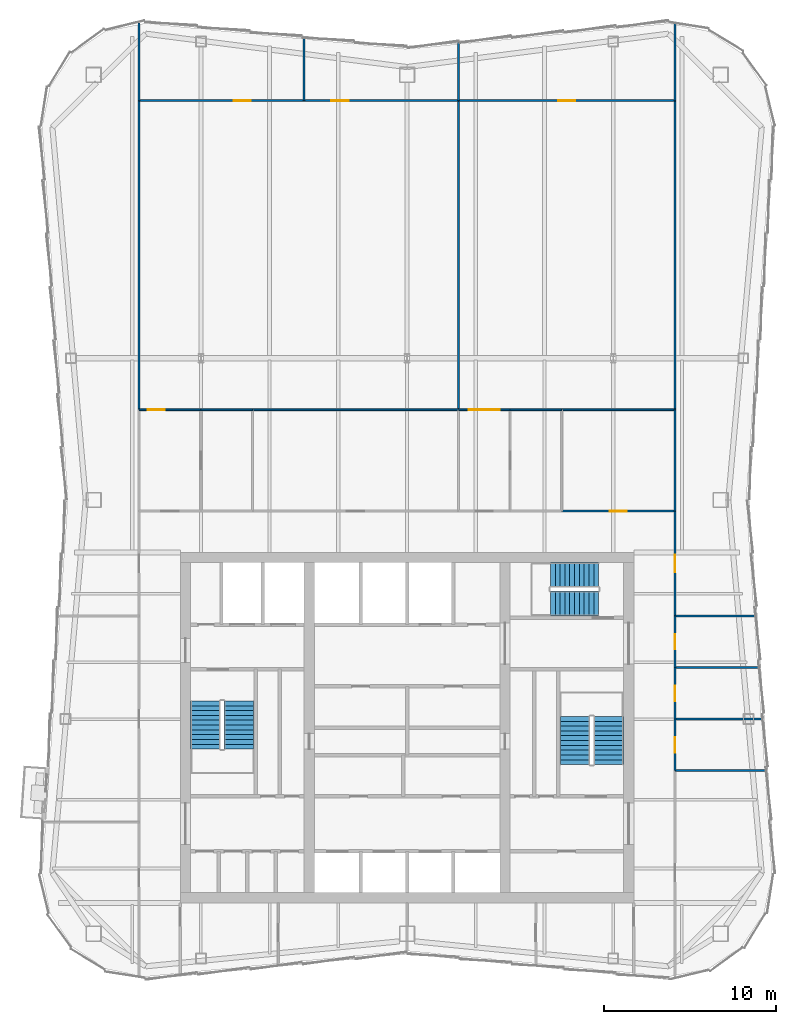
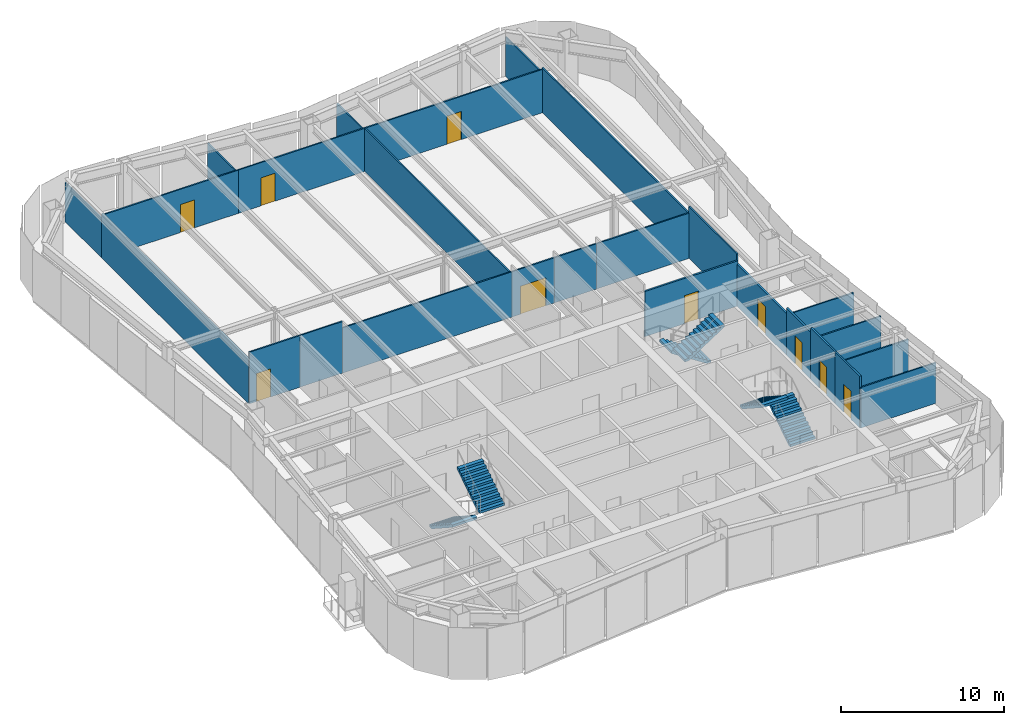
# One storey, part 8 of 10: 26 walls, 10 doors, 6 stair flights, 10 openings, 3 elements without a shape of their own.
"""IFC4 building model written with IfcOpenShell, lengths in metres."""

from ifc_helpers import new_model, si_unit, direction, frame, frame_2d, origin, place, context, subcontext, project, spatial, polyline, rectangle, outline, extrude, material, layer, layer_set, type_object, element, fill, aggregate, save


model = new_model("IFC4")

# Units and contexts
model_context = context("Model", 3, precision=1e-05, world=origin(), true_north=direction((0.0, 1.0)))
body_context = subcontext(model_context, "Body", "Model", "MODEL_VIEW")
ifc_project = project(units=[si_unit("LENGTHUNIT", "METRE"), si_unit("AREAUNIT", "SQUARE_METRE"), si_unit("VOLUMEUNIT", "CUBIC_METRE"), si_unit("PLANEANGLEUNIT", "RADIAN"), si_unit("MASSUNIT", "GRAM", prefix="KILO")], contexts=[model_context])

# Site, building, storey
site_placement = place(None, origin())
site = spatial("IfcSite", under=ifc_project, at=site_placement, CompositionType="ELEMENT")
building_placement = place(site_placement, origin())
building = spatial("IfcBuilding", under=site, at=building_placement, Name="Verdant Reach Tower", CompositionType="ELEMENT")
storey_placement = place(building_placement, frame((0.0, 0.0, 302.0)))
storey = spatial("IfcBuildingStorey", under=building, at=storey_placement, Name="L69", CompositionType="ELEMENT", Elevation=302.0)

# Walls
ifc_material_1 = material(Name="Gypsum board on steel studs", Category="steel")
ifc_layer_1 = layer(ifc_material_1, 0.10009765625)
ifc_layer_set_1 = layer_set([ifc_layer_1], Name="FL-W1 Partition 100")
wall_type_1 = type_object("IfcWallType", Name="FL-W1 Partition 100", PredefinedType="PARTITIONING", material=ifc_layer_set_1)
wall_1_placement = place(storey_placement, frame((-15.60009765625, 46.5, 0.0), z_axis=(0.0, 0.0, 1.0), x_axis=(0.0, 1.0, 0.0)))
element("IfcWall", 1, at=wall_1_placement, inside=storey, type_object=wall_type_1, Name="Partition 69.20", PredefinedType="PARTITIONING", context=body_context, shape_type="SweptSolid", body=[
    extrude(rectangle(XDim=18.0, YDim=0.10009765625, at=frame_2d((9.0, 0.0))), origin(), (0.0, 0.0, 1.0), 3.35009765625),
])
wall_2_placement = place(storey_placement, frame((-15.60009765625, 64.5, 0.0), z_axis=(0.0, 0.0, 1.0), x_axis=(0.0, 1.0, 0.0)))
element("IfcWall", 2, at=wall_2_placement, inside=storey, type_object=wall_type_1, Name="Partition 69.21", PredefinedType="PARTITIONING", context=body_context, shape_type="SweptSolid", body=[
    extrude(rectangle(XDim=4.510498046875, YDim=0.10009765625, at=frame_2d((2.25537109375, 0.0))), origin(), (0.0, 0.0, 1.0), 2.929931640625),
])
wall_3_placement = place(storey_placement, frame((20.916259765625, 25.5, 0.0), z_axis=(0.0, 0.0, 1.0), x_axis=(-1.0, 0.0, 0.0)))
element("IfcWall", 3, at=wall_3_placement, inside=storey, type_object=wall_type_1, Name="Partition 69.22", PredefinedType="PARTITIONING", context=body_context, shape_type="SweptSolid", body=[
    extrude(rectangle(XDim=5.316162109375, YDim=0.10009765625, at=frame_2d((2.658203125, 0.0))), origin(), (0.0, 0.0, 1.0), 3.0400390625),
])
wall_4_placement = place(storey_placement, frame((20.709228515625, 28.5, 0.0), z_axis=(0.0, 0.0, 1.0), x_axis=(-1.0, 0.0, 0.0)))
element("IfcWall", 4, at=wall_4_placement, inside=storey, type_object=wall_type_1, Name="Partition 69.23", PredefinedType="PARTITIONING", context=body_context, shape_type="SweptSolid", body=[
    extrude(rectangle(XDim=5.109130859375, YDim=0.10009765625, at=frame_2d((2.5546875, 0.0))), origin(), (0.0, 0.0, 1.0), 3.0400390625),
])
wall_5_placement = place(storey_placement, frame((20.50244140625, 31.5, 0.0), z_axis=(0.0, 0.0, 1.0), x_axis=(-1.0, 0.0, 0.0)))
element("IfcWall", 5, at=wall_5_placement, inside=storey, type_object=wall_type_1, Name="Partition 69.24", PredefinedType="PARTITIONING", context=body_context, shape_type="SweptSolid", body=[
    extrude(rectangle(XDim=4.90234375, YDim=0.10009765625, at=frame_2d((2.451171875, 0.0))), origin(), (0.0, 0.0, 1.0), 3.0400390625),
])
wall_6_placement = place(storey_placement, frame((20.29541015625, 34.5, 0.0), z_axis=(0.0, 0.0, 1.0), x_axis=(-1.0, 0.0, 0.0)))
element("IfcWall", 6, at=wall_6_placement, inside=storey, type_object=wall_type_1, Name="Partition 69.25", PredefinedType="PARTITIONING", context=body_context, shape_type="SweptSolid", body=[
    extrude(rectangle(XDim=4.6953125, YDim=0.10009765625, at=frame_2d((2.34765625, 0.0))), origin(), (0.0, 0.0, 1.0), 3.0400390625),
])
wall_7_placement = place(storey_placement, frame((15.60009765625, 46.5, 0.0), z_axis=(0.0, 0.0, 1.0), x_axis=(0.0, -1.0, 0.0)))
element("IfcWall", 7, at=wall_7_placement, inside=storey, type_object=wall_type_1, Name="Partition 69.26", PredefinedType="PARTITIONING", context=body_context, shape_type="SweptSolid", body=[
    extrude(rectangle(XDim=5.89990234375, YDim=0.10009765625, at=frame_2d((2.949951171875, 0.0))), origin(), (0.0, 0.0, 1.0), 3.8701171875),
])
wall_8_placement = place(storey_placement, frame((15.60009765625, 64.5, 0.0), z_axis=(0.0, 0.0, 1.0), x_axis=(0.0, -1.0, 0.0)))
element("IfcWall", 8, at=wall_8_placement, inside=storey, type_object=wall_type_1, Name="Partition 69.27", PredefinedType="PARTITIONING", context=body_context, shape_type="SweptSolid", body=[
    extrude(rectangle(XDim=18.0, YDim=0.10009765625, at=frame_2d((9.0, 0.0))), origin(), (0.0, 0.0, 1.0), 3.35009765625),
])
wall_9_placement = place(storey_placement, frame((15.60009765625, 69.010498046875, 0.0), z_axis=(0.0, 0.0, 1.0), x_axis=(0.0, -1.0, 0.0)))
element("IfcWall", 9, at=wall_9_placement, inside=storey, type_object=wall_type_1, Name="Partition 69.28", PredefinedType="PARTITIONING", context=body_context, shape_type="SweptSolid", body=[
    extrude(rectangle(XDim=4.510498046875, YDim=0.10009765625, at=frame_2d((2.25537109375, 0.0))), origin(), (0.0, 0.0, 1.0), 2.929931640625),
])

# Wall, opening, door
wall_10_placement = place(storey_placement, frame((-15.60009765625, 46.5, 0.0), z_axis=(0.0, 0.0, 1.0), x_axis=(1.0, 0.0, 0.0)))
wall_10 = element("IfcWall", 10, at=wall_10_placement, inside=storey, type_object=wall_type_1, Name="Partition 69.33", PredefinedType="PARTITIONING", context=body_context, shape_type="SweptSolid", body=[
    extrude(rectangle(XDim=3.60400390625, YDim=0.10009765625, at=frame_2d((1.802001953125, 0.0))), origin(), (0.0, 0.0, 1.0), 3.8701171875),
])
opening_1_placement = place(wall_10_placement, frame((0.501953125, 0.0, 0.0)))
opening_1 = element("IfcOpeningElement", 11, at=opening_1_placement, cuts=wall_10, Name="Opening D3", PredefinedType="OPENING", context=body_context, shape_type="SweptSolid", body=[
    extrude(rectangle(XDim=1.0, YDim=2.10009765625, at=frame_2d((0.5, 1.050048828125))), frame((0.0, 0.06005859375, 0.0), z_axis=(0.0, -1.0, 0.0), x_axis=(1.0, 0.0, 0.0)), (0.0, 0.0, 1.0), 0.1201171875),
])
ifc_material_2 = material(Name="Painted timber door leaf", Category="wood")
door_type_1 = type_object("IfcDoorType", Name="FL-D3 Door 1000x2100", OperationType="NOTDEFINED", PredefinedType="DOOR", material=ifc_material_2)
door_1_placement = place(opening_1_placement, origin())
door_1 = element("IfcDoor", 12, at=door_1_placement, inside=storey, type_object=door_type_1, Name="Door 69-018", OperationType="SINGLE_SWING_LEFT", OverallHeight=2.10009765625, OverallWidth=1.0, PredefinedType="DOOR", context=body_context, shape_type="SweptSolid", body=[
    extrude(rectangle(XDim=1.0, YDim=2.10009765625, at=frame_2d((0.5, 1.050048828125))), frame((0.0, 0.02490234375, 0.0), z_axis=(0.0, -1.0, 0.0), x_axis=(1.0, 0.0, 0.0)), (0.0, 0.0, 1.0), 0.050048828125),
])
fill(opening_1, door_1)

# Walls
wall_11_placement = place(storey_placement, frame((-8.99609375, 46.5, 0.0), z_axis=(0.0, 0.0, 1.0), x_axis=(-1.0, 0.0, 0.0)))
element("IfcWall", 13, at=wall_11_placement, inside=storey, type_object=wall_type_1, Name="Partition 69.35", PredefinedType="PARTITIONING", context=body_context, shape_type="SweptSolid", body=[
    extrude(rectangle(XDim=3.0078125, YDim=0.10009765625, at=frame_2d((1.50390625, 0.0))), origin(), (0.0, 0.0, 1.0), 3.8701171875),
])
wall_12_placement = place(storey_placement, frame((3.0, 46.5, 0.0), z_axis=(0.0, 0.0, 1.0), x_axis=(-1.0, 0.0, 0.0)))
element("IfcWall", 14, at=wall_12_placement, inside=storey, type_object=wall_type_1, Name="Partition 69.36", PredefinedType="PARTITIONING", context=body_context, shape_type="SweptSolid", body=[
    extrude(rectangle(XDim=12.00390625, YDim=0.10009765625, at=frame_2d((6.001953125, 0.0))), origin(), (0.0, 0.0, 1.0), 3.389892578125),
])

# Wall, opening, door
wall_13_placement = place(storey_placement, frame((-15.60009765625, 64.5, 0.0), z_axis=(0.0, 0.0, 1.0), x_axis=(1.0, 0.0, 0.0)))
wall_13 = element("IfcWall", 15, at=wall_13_placement, inside=storey, type_object=wall_type_1, Name="Partition 69.38", PredefinedType="PARTITIONING", context=body_context, shape_type="SweptSolid", body=[
    extrude(rectangle(XDim=9.60009765625, YDim=0.10009765625, at=frame_2d((4.800048828125, 0.0))), origin(), (0.0, 0.0, 1.0), 3.239990234375),
])
opening_2_placement = place(wall_13_placement, frame((5.5, 0.0, 0.0)))
opening_2 = element("IfcOpeningElement", 16, at=opening_2_placement, cuts=wall_13, Name="Opening D3", PredefinedType="OPENING", context=body_context, shape_type="SweptSolid", body=[
    extrude(rectangle(XDim=1.0, YDim=2.10009765625, at=frame_2d((0.5, 1.050048828125))), frame((0.0, 0.06005859375, 0.0), z_axis=(0.0, -1.0, 0.0), x_axis=(1.0, 0.0, 0.0)), (0.0, 0.0, 1.0), 0.1201171875),
])
door_2_placement = place(opening_2_placement, origin())
door_2 = element("IfcDoor", 17, at=door_2_placement, inside=storey, type_object=door_type_1, Name="Door 69-019", OperationType="SINGLE_SWING_RIGHT", OverallHeight=2.10009765625, OverallWidth=1.0, PredefinedType="DOOR", context=body_context, shape_type="SweptSolid", body=[
    extrude(rectangle(XDim=1.0, YDim=2.10009765625, at=frame_2d((0.5, 1.050048828125))), frame((0.0, 0.02490234375, 0.0), z_axis=(0.0, -1.0, 0.0), x_axis=(1.0, 0.0, 0.0)), (0.0, 0.0, 1.0), 0.050048828125),
])
fill(opening_2, door_2)

wall_14_placement = place(storey_placement, frame((-6.0, 64.5, 0.0), z_axis=(0.0, 0.0, 1.0), x_axis=(1.0, 0.0, 0.0)))
wall_14 = element("IfcWall", 18, at=wall_14_placement, inside=storey, type_object=wall_type_1, Name="Partition 69.39", PredefinedType="PARTITIONING", context=body_context, shape_type="SweptSolid", body=[
    extrude(rectangle(XDim=9.0, YDim=0.10009765625, at=frame_2d((4.5, 0.0))), origin(), (0.0, 0.0, 1.0), 3.239990234375),
])
opening_3_placement = place(wall_14_placement, frame((1.60009765625, 0.0, 0.0)))
opening_3 = element("IfcOpeningElement", 19, at=opening_3_placement, cuts=wall_14, Name="Opening D3", PredefinedType="OPENING", context=body_context, shape_type="SweptSolid", body=[
    extrude(rectangle(XDim=1.0, YDim=2.10009765625, at=frame_2d((0.5, 1.050048828125))), frame((0.0, 0.06005859375, 0.0), z_axis=(0.0, -1.0, 0.0), x_axis=(1.0, 0.0, 0.0)), (0.0, 0.0, 1.0), 0.1201171875),
])
door_3_placement = place(opening_3_placement, origin())
door_3 = element("IfcDoor", 20, at=door_3_placement, inside=storey, type_object=door_type_1, Name="Door 69-020", OperationType="SINGLE_SWING_LEFT", OverallHeight=2.10009765625, OverallWidth=1.0, PredefinedType="DOOR", context=body_context, shape_type="SweptSolid", body=[
    extrude(rectangle(XDim=1.0, YDim=2.10009765625, at=frame_2d((0.5, 1.050048828125))), frame((0.0, 0.02490234375, 0.0), z_axis=(0.0, -1.0, 0.0), x_axis=(1.0, 0.0, 0.0)), (0.0, 0.0, 1.0), 0.050048828125),
])
fill(opening_3, door_3)

# Walls
wall_15_placement = place(storey_placement, frame((3.0, 46.5, 0.0), z_axis=(0.0, 0.0, 1.0), x_axis=(0.0, 1.0, 0.0)))
element("IfcWall", 21, at=wall_15_placement, inside=storey, type_object=wall_type_1, Name="Partition 69.40", PredefinedType="PARTITIONING", context=body_context, shape_type="SweptSolid", body=[
    extrude(rectangle(XDim=18.0, YDim=0.10009765625, at=frame_2d((9.0, 0.0))), origin(), (0.0, 0.0, 1.0), 3.239990234375),
])
wall_16_placement = place(storey_placement, frame((-6.0, 64.5, 0.0), z_axis=(0.0, 0.0, 1.0), x_axis=(0.0, 1.0, 0.0)))
element("IfcWall", 22, at=wall_16_placement, inside=storey, type_object=wall_type_1, Name="Partition 69.41", PredefinedType="PARTITIONING", context=body_context, shape_type="SweptSolid", body=[
    extrude(rectangle(XDim=3.670166015625, YDim=0.10009765625, at=frame_2d((1.8349609375, 0.0))), origin(), (0.0, 0.0, 1.0), 3.0400390625),
])
wall_17_placement = place(storey_placement, frame((3.0, 64.5, 0.0), z_axis=(0.0, 0.0, 1.0), x_axis=(0.0, 1.0, 0.0)))
element("IfcWall", 23, at=wall_17_placement, inside=storey, type_object=wall_type_1, Name="Partition 69.42", PredefinedType="PARTITIONING", context=body_context, shape_type="SweptSolid", body=[
    extrude(rectangle(XDim=3.375, YDim=0.10009765625, at=frame_2d((1.6875, 0.0))), origin(), (0.0, 0.0, 1.0), 3.0400390625),
])

# Wall, opening, door
wall_18_placement = place(storey_placement, frame((3.0, 46.5, 0.0), z_axis=(0.0, 0.0, 1.0), x_axis=(1.0, 0.0, 0.0)))
wall_18 = element("IfcWall", 24, at=wall_18_placement, inside=storey, type_object=wall_type_1, Name="Partition 69.44", PredefinedType="PARTITIONING", context=body_context, shape_type="SweptSolid", body=[
    extrude(rectangle(XDim=3.00390625, YDim=0.10009765625, at=frame_2d((1.501953125, 0.0))), origin(), (0.0, 0.0, 1.0), 3.389892578125),
])
opening_4_placement = place(wall_18_placement, frame((0.60205078125, 0.0, 0.0)))
opening_4 = element("IfcOpeningElement", 25, at=opening_4_placement, cuts=wall_18, Name="Opening D5", PredefinedType="OPENING", context=body_context, shape_type="SweptSolid", body=[
    extrude(rectangle(XDim=1.800048828125, YDim=2.10009765625, at=frame_2d((0.89990234375, 1.050048828125))), frame((0.0, 0.06005859375, 0.0), z_axis=(0.0, -1.0, 0.0), x_axis=(1.0, 0.0, 0.0)), (0.0, 0.0, 1.0), 0.1201171875),
])
ifc_material_3 = material(Name="Painted timber door leaves", Category="wood")
door_type_2 = type_object("IfcDoorType", Name="FL-D5 Double door 1800x2100", OperationType="DOUBLE_DOOR_SINGLE_SWING", PredefinedType="DOOR", material=ifc_material_3)
door_4_placement = place(opening_4_placement, origin())
door_4 = element("IfcDoor", 26, at=door_4_placement, inside=storey, type_object=door_type_2, Name="Door 69-022", OperationType="DOUBLE_DOOR_SINGLE_SWING", OverallHeight=2.10009765625, OverallWidth=1.800048828125, PredefinedType="DOOR", context=body_context, shape_type="SweptSolid", body=[
    extrude(rectangle(XDim=1.800048828125, YDim=2.10009765625, at=frame_2d((0.89990234375, 1.050048828125))), frame((0.0, 0.02490234375, 0.0), z_axis=(0.0, -1.0, 0.0), x_axis=(1.0, 0.0, 0.0)), (0.0, 0.0, 1.0), 0.050048828125),
])
fill(opening_4, door_4)

# Walls
wall_19_placement = place(storey_placement, frame((9.00390625, 46.5, 0.0), z_axis=(0.0, 0.0, 1.0), x_axis=(-1.0, 0.0, 0.0)))
element("IfcWall", 27, at=wall_19_placement, inside=storey, type_object=wall_type_1, Name="Partition 69.46", PredefinedType="PARTITIONING", context=body_context, shape_type="SweptSolid", body=[
    extrude(rectangle(XDim=3.0078125, YDim=0.10009765625, at=frame_2d((1.50390625, 0.0))), origin(), (0.0, 0.0, 1.0), 3.389892578125),
])
wall_20_placement = place(storey_placement, frame((15.60009765625, 46.5, 0.0), z_axis=(0.0, 0.0, 1.0), x_axis=(-1.0, 0.0, 0.0)))
element("IfcWall", 28, at=wall_20_placement, inside=storey, type_object=wall_type_1, Name="Partition 69.47", PredefinedType="PARTITIONING", context=body_context, shape_type="SweptSolid", body=[
    extrude(rectangle(XDim=6.60400390625, YDim=0.10009765625, at=frame_2d((3.302001953125, 0.0))), origin(), (0.0, 0.0, 1.0), 3.389892578125),
])

# Wall, opening, door
wall_21_placement = place(storey_placement, frame((3.0, 64.5, 0.0), z_axis=(0.0, 0.0, 1.0), x_axis=(1.0, 0.0, 0.0)))
wall_21 = element("IfcWall", 29, at=wall_21_placement, inside=storey, type_object=wall_type_1, Name="Partition 69.48", PredefinedType="PARTITIONING", context=body_context, shape_type="SweptSolid", body=[
    extrude(rectangle(XDim=12.60009765625, YDim=0.10009765625, at=frame_2d((6.300048828125, 0.0))), origin(), (0.0, 0.0, 1.0), 3.239990234375),
])
opening_5_placement = place(wall_21_placement, frame((5.800048828125, 0.0, 0.0)))
opening_5 = element("IfcOpeningElement", 30, at=opening_5_placement, cuts=wall_21, Name="Opening D3", PredefinedType="OPENING", context=body_context, shape_type="SweptSolid", body=[
    extrude(rectangle(XDim=1.0, YDim=2.10009765625, at=frame_2d((0.5, 1.050048828125))), frame((0.0, 0.06005859375, 0.0), z_axis=(0.0, -1.0, 0.0), x_axis=(1.0, 0.0, 0.0)), (0.0, 0.0, 1.0), 0.1201171875),
])
door_5_placement = place(opening_5_placement, origin())
door_5 = element("IfcDoor", 31, at=door_5_placement, inside=storey, type_object=door_type_1, Name="Door 69-023", OperationType="SINGLE_SWING_LEFT", OverallHeight=2.10009765625, OverallWidth=1.0, PredefinedType="DOOR", context=body_context, shape_type="SweptSolid", body=[
    extrude(rectangle(XDim=1.0, YDim=2.10009765625, at=frame_2d((0.5, 1.050048828125))), frame((0.0, 0.02490234375, 0.0), z_axis=(0.0, -1.0, 0.0), x_axis=(1.0, 0.0, 0.0)), (0.0, 0.0, 1.0), 0.050048828125),
])
fill(opening_5, door_5)

ifc_material_4 = material(Name="Gypsum board on steel studs, fire rated", Category="steel")
ifc_layer_2 = layer(ifc_material_4, 0.125)
ifc_layer_set_2 = layer_set([ifc_layer_2], Name="FL-W2 Corridor wall 125")
wall_type_2 = type_object("IfcWallType", Name="FL-W2 Corridor wall 125", PredefinedType="PARTITIONING", material=ifc_layer_set_2)
wall_22_placement = place(storey_placement, frame((15.60009765625, 28.5, 0.0), z_axis=(0.0, 0.0, 1.0), x_axis=(0.0, -1.0, 0.0)))
wall_22 = element("IfcWall", 32, at=wall_22_placement, inside=storey, type_object=wall_type_2, Name="Partition 69.05", PredefinedType="PARTITIONING", context=body_context, shape_type="SweptSolid", body=[
    extrude(rectangle(XDim=3.0, YDim=0.125, at=frame_2d((1.5, 0.0))), origin(), (0.0, 0.0, 1.0), 3.8701171875),
])
opening_6_placement = place(wall_22_placement, frame((1.050048828125, 0.0, 0.0)))
opening_6 = element("IfcOpeningElement", 33, at=opening_6_placement, cuts=wall_22, Name="Opening D1", PredefinedType="OPENING", context=body_context, shape_type="SweptSolid", body=[
    extrude(rectangle(XDim=0.89990234375, YDim=2.10009765625, at=frame_2d((0.449951171875, 1.050048828125))), frame((0.0, 0.072509765625, 0.0), z_axis=(0.0, -1.0, 0.0), x_axis=(1.0, 0.0, 0.0)), (0.0, 0.0, 1.0), 0.14501953125),
])
door_type_3 = type_object("IfcDoorType", Name="FL-D1 Door 900x2100", OperationType="NOTDEFINED", PredefinedType="DOOR", material=ifc_material_2)
door_6_placement = place(opening_6_placement, origin())
door_6 = element("IfcDoor", 34, at=door_6_placement, inside=storey, type_object=door_type_3, Name="Door 69-005", OperationType="SINGLE_SWING_LEFT", OverallHeight=2.10009765625, OverallWidth=0.89990234375, PredefinedType="DOOR", context=body_context, shape_type="SweptSolid", body=[
    extrude(rectangle(XDim=0.89990234375, YDim=2.10009765625, at=frame_2d((0.449951171875, 1.050048828125))), frame((0.0, 0.02490234375, 0.0), z_axis=(0.0, -1.0, 0.0), x_axis=(1.0, 0.0, 0.0)), (0.0, 0.0, 1.0), 0.050048828125),
])
fill(opening_6, door_6)

wall_23_placement = place(storey_placement, frame((15.60009765625, 31.5, 0.0), z_axis=(0.0, 0.0, 1.0), x_axis=(0.0, -1.0, 0.0)))
wall_23 = element("IfcWall", 35, at=wall_23_placement, inside=storey, type_object=wall_type_2, Name="Partition 69.06", PredefinedType="PARTITIONING", context=body_context, shape_type="SweptSolid", body=[
    extrude(rectangle(XDim=3.0, YDim=0.125, at=frame_2d((1.5, 0.0))), origin(), (0.0, 0.0, 1.0), 3.8701171875),
])
opening_7_placement = place(wall_23_placement, frame((1.050048828125, 0.0, 0.0)))
opening_7 = element("IfcOpeningElement", 36, at=opening_7_placement, cuts=wall_23, Name="Opening D1", PredefinedType="OPENING", context=body_context, shape_type="SweptSolid", body=[
    extrude(rectangle(XDim=0.89990234375, YDim=2.10009765625, at=frame_2d((0.449951171875, 1.050048828125))), frame((0.0, 0.072509765625, 0.0), z_axis=(0.0, -1.0, 0.0), x_axis=(1.0, 0.0, 0.0)), (0.0, 0.0, 1.0), 0.14501953125),
])
door_7_placement = place(opening_7_placement, origin())
door_7 = element("IfcDoor", 37, at=door_7_placement, inside=storey, type_object=door_type_3, Name="Door 69-006", OperationType="SINGLE_SWING_RIGHT", OverallHeight=2.10009765625, OverallWidth=0.89990234375, PredefinedType="DOOR", context=body_context, shape_type="SweptSolid", body=[
    extrude(rectangle(XDim=0.89990234375, YDim=2.10009765625, at=frame_2d((0.449951171875, 1.050048828125))), frame((0.0, 0.02490234375, 0.0), z_axis=(0.0, -1.0, 0.0), x_axis=(1.0, 0.0, 0.0)), (0.0, 0.0, 1.0), 0.050048828125),
])
fill(opening_7, door_7)

wall_24_placement = place(storey_placement, frame((15.60009765625, 34.5, 0.0), z_axis=(0.0, 0.0, 1.0), x_axis=(0.0, -1.0, 0.0)))
wall_24 = element("IfcWall", 38, at=wall_24_placement, inside=storey, type_object=wall_type_2, Name="Partition 69.07", PredefinedType="PARTITIONING", context=body_context, shape_type="SweptSolid", body=[
    extrude(rectangle(XDim=3.0, YDim=0.125, at=frame_2d((1.5, 0.0))), origin(), (0.0, 0.0, 1.0), 3.5400390625),
])
opening_8_placement = place(wall_24_placement, frame((1.050048828125, 0.0, 0.0)))
opening_8 = element("IfcOpeningElement", 39, at=opening_8_placement, cuts=wall_24, Name="Opening D1", PredefinedType="OPENING", context=body_context, shape_type="SweptSolid", body=[
    extrude(rectangle(XDim=0.89990234375, YDim=2.10009765625, at=frame_2d((0.449951171875, 1.050048828125))), frame((0.0, 0.072509765625, 0.0), z_axis=(0.0, -1.0, 0.0), x_axis=(1.0, 0.0, 0.0)), (0.0, 0.0, 1.0), 0.14501953125),
])
door_8_placement = place(opening_8_placement, origin())
door_8 = element("IfcDoor", 40, at=door_8_placement, inside=storey, type_object=door_type_3, Name="Door 69-007", OperationType="SINGLE_SWING_LEFT", OverallHeight=2.10009765625, OverallWidth=0.89990234375, PredefinedType="DOOR", context=body_context, shape_type="SweptSolid", body=[
    extrude(rectangle(XDim=0.89990234375, YDim=2.10009765625, at=frame_2d((0.449951171875, 1.050048828125))), frame((0.0, 0.02490234375, 0.0), z_axis=(0.0, -1.0, 0.0), x_axis=(1.0, 0.0, 0.0)), (0.0, 0.0, 1.0), 0.050048828125),
])
fill(opening_8, door_8)

wall_25_placement = place(storey_placement, frame((15.60009765625, 40.60400390625, 0.0), z_axis=(0.0, 0.0, 1.0), x_axis=(0.0, -1.0, 0.0)))
wall_25 = element("IfcWall", 41, at=wall_25_placement, inside=storey, type_object=wall_type_2, Name="Partition 69.08", PredefinedType="PARTITIONING", context=body_context, shape_type="SweptSolid", body=[
    extrude(rectangle(XDim=6.10400390625, YDim=0.125, at=frame_2d((3.052001953125, 0.0))), origin(), (0.0, 0.0, 1.0), 3.139892578125),
])
opening_9_placement = place(wall_25_placement, frame((2.552001953125, 0.0, 0.0)))
opening_9 = element("IfcOpeningElement", 42, at=opening_9_placement, cuts=wall_25, Name="Opening D2", PredefinedType="OPENING", context=body_context, shape_type="SweptSolid", body=[
    extrude(rectangle(XDim=1.0, YDim=2.10009765625, at=frame_2d((0.5, 1.050048828125))), frame((0.0, 0.072509765625, 0.0), z_axis=(0.0, -1.0, 0.0), x_axis=(1.0, 0.0, 0.0)), (0.0, 0.0, 1.0), 0.14501953125),
])
ifc_material_5 = material(Name="Timber door leaf, fire rated", Category="wood")
door_type_4 = type_object("IfcDoorType", Name="FL-D2 Entrance door 1000x2100 FD30", OperationType="NOTDEFINED", PredefinedType="DOOR", material=ifc_material_5)
door_9_placement = place(opening_9_placement, origin())
door_9 = element("IfcDoor", 43, at=door_9_placement, inside=storey, type_object=door_type_4, Name="Door 69-008", OperationType="SINGLE_SWING_RIGHT", OverallHeight=2.10009765625, OverallWidth=1.0, PredefinedType="DOOR", context=body_context, shape_type="SweptSolid", body=[
    extrude(rectangle(XDim=1.0, YDim=2.10009765625, at=frame_2d((0.5, 1.050048828125))), frame((0.0, 0.02490234375, 0.0), z_axis=(0.0, -1.0, 0.0), x_axis=(1.0, 0.0, 0.0)), (0.0, 0.0, 1.0), 0.050048828125),
])
fill(opening_9, door_9)

wall_26_placement = place(storey_placement, frame((9.0, 40.60009765625, 0.0), z_axis=(0.0, 0.0, 1.0), x_axis=(1.0, 0.0, 0.0)))
wall_26 = element("IfcWall", 44, at=wall_26_placement, inside=storey, type_object=wall_type_2, Name="Partition 69.16", PredefinedType="PARTITIONING", context=body_context, shape_type="SweptSolid", body=[
    extrude(rectangle(XDim=6.60009765625, YDim=0.125, at=frame_2d((3.300048828125, 0.0))), origin(), (0.0, 0.0, 1.0), 3.389892578125),
])
opening_10_placement = place(wall_26_placement, frame((2.800048828125, 0.0, 0.0)))
opening_10 = element("IfcOpeningElement", 45, at=opening_10_placement, cuts=wall_26, Name="Opening D2", PredefinedType="OPENING", context=body_context, shape_type="SweptSolid", body=[
    extrude(rectangle(XDim=1.0, YDim=2.10009765625, at=frame_2d((0.5, 1.050048828125))), frame((0.0, 0.072509765625, 0.0), z_axis=(0.0, -1.0, 0.0), x_axis=(1.0, 0.0, 0.0)), (0.0, 0.0, 1.0), 0.14501953125),
])
door_10_placement = place(opening_10_placement, origin())
door_10 = element("IfcDoor", 46, at=door_10_placement, inside=storey, type_object=door_type_4, Name="Door 69-014", OperationType="SINGLE_SWING_RIGHT", OverallHeight=2.10009765625, OverallWidth=1.0, PredefinedType="DOOR", context=body_context, shape_type="SweptSolid", body=[
    extrude(rectangle(XDim=1.0, YDim=2.10009765625, at=frame_2d((0.5, 1.050048828125))), frame((0.0, 0.02490234375, 0.0), z_axis=(0.0, -1.0, 0.0), x_axis=(1.0, 0.0, 0.0)), (0.0, 0.0, 1.0), 0.050048828125),
])
fill(opening_10, door_10)

# Stair, stair flights
ifc_material_6 = material(Name="Concrete C40/50", Category="concrete")
stair_type = type_object("IfcStairType", Name="CO-STAIR", PredefinedType="HALF_TURN_STAIR", material=ifc_material_6)
stair_1_placement = place(storey_placement, origin())
stair_1 = element("IfcStair", 47, at=stair_1_placement, inside=storey, type_object=stair_type, Name="L69 Exit stair 1", PredefinedType="HALF_TURN_STAIR")
stair_flight_type = type_object("IfcStairFlightType", Name="CO-STAIR-FLIGHT", PredefinedType="STRAIGHT", material=ifc_material_6)
stair_flight_1_placement = place(storey_placement, frame((-11.72509765625, 29.550048828125, 0.0), z_axis=(0.0, 0.0, 1.0), x_axis=(0.0, -1.0, 0.0)))
stair_flight_1 = element("IfcStairFlight", 48, at=stair_flight_1_placement, type_object=stair_flight_type, Name="ST-1 flight 1", NumberOfRisers=11, NumberOfTreads=10, PredefinedType="STRAIGHT", RiserHeight=0.181818182, TreadLength=0.28, context=body_context, shape_type="SweptSolid", body=[
    extrude(outline(polyline([(0.0, 0.0), (0.0, 0.181884765625), (0.280029296875, 0.181884765625), (0.280029296875, 0.363525390625), (0.56005859375, 0.363525390625), (0.56005859375, 0.54541015625), (0.840087890625, 0.54541015625), (0.840087890625, 0.727294921875), (1.1201171875, 0.727294921875), (1.1201171875, 0.9091796875), (1.39990234375, 0.9091796875), (1.39990234375, 1.0908203125), (1.679931640625, 1.0908203125), (1.679931640625, 1.272705078125), (1.9599609375, 1.272705078125), (1.9599609375, 1.45458984375), (2.239990234375, 1.45458984375), (2.239990234375, 1.636474609375), (2.52001953125, 1.636474609375), (2.52001953125, 1.818115234375), (2.800048828125, 1.818115234375), (2.800048828125, 2.0), (2.800048828125, 1.639404296875), (0.275146484375, 0.0), (0.0, 0.0)])), frame((0.0, 0.875, 0.0), z_axis=(0.0, -1.0, 0.0), x_axis=(1.0, 0.0, 0.0)), (0.0, 0.0, 1.0), 1.75),
])
stair_flight_2_placement = place(storey_placement, frame((-9.77490234375, 26.75, 2.0), z_axis=(0.0, 0.0, 1.0), x_axis=(0.0, 1.0, 0.0)))
stair_flight_2 = element("IfcStairFlight", 49, at=stair_flight_2_placement, type_object=stair_flight_type, Name="ST-1 flight 2", NumberOfRisers=11, NumberOfTreads=10, PredefinedType="STRAIGHT", RiserHeight=0.181818182, TreadLength=0.28, context=body_context, shape_type="SweptSolid", body=[
    extrude(outline(polyline([(0.0, 0.0), (0.0, 0.181884765625), (0.280029296875, 0.181884765625), (0.280029296875, 0.363525390625), (0.56005859375, 0.363525390625), (0.56005859375, 0.54541015625), (0.840087890625, 0.54541015625), (0.840087890625, 0.727294921875), (1.1201171875, 0.727294921875), (1.1201171875, 0.9091796875), (1.39990234375, 0.9091796875), (1.39990234375, 1.0908203125), (1.679931640625, 1.0908203125), (1.679931640625, 1.272705078125), (1.9599609375, 1.272705078125), (1.9599609375, 1.45458984375), (2.239990234375, 1.45458984375), (2.239990234375, 1.636474609375), (2.52001953125, 1.636474609375), (2.52001953125, 1.818115234375), (2.800048828125, 1.818115234375), (2.800048828125, 2.0), (2.800048828125, 1.639404296875), (0.275146484375, 0.0), (0.0, 0.0)])), frame((0.0, 0.875, 0.0), z_axis=(0.0, -1.0, 0.0), x_axis=(1.0, 0.0, 0.0)), (0.0, 0.0, 1.0), 1.75),
])
aggregate(stair_1, [stair_flight_1, stair_flight_2])

stair_2_placement = place(storey_placement, origin())
stair_2 = element("IfcStair", 50, at=stair_2_placement, inside=storey, type_object=stair_type, Name="L69 Exit stair 2", PredefinedType="HALF_TURN_STAIR")
stair_flight_3_placement = place(storey_placement, frame((11.72509765625, 25.85009765625, 0.0), z_axis=(0.0, 0.0, 1.0), x_axis=(0.0, 1.0, 0.0)))
stair_flight_3 = element("IfcStairFlight", 51, at=stair_flight_3_placement, type_object=stair_flight_type, Name="ST-2 flight 1", NumberOfRisers=11, NumberOfTreads=10, PredefinedType="STRAIGHT", RiserHeight=0.181818182, TreadLength=0.28, context=body_context, shape_type="SweptSolid", body=[
    extrude(outline(polyline([(0.0, 0.0), (0.0, 0.181884765625), (0.280029296875, 0.181884765625), (0.280029296875, 0.363525390625), (0.56005859375, 0.363525390625), (0.56005859375, 0.54541015625), (0.840087890625, 0.54541015625), (0.840087890625, 0.727294921875), (1.1201171875, 0.727294921875), (1.1201171875, 0.9091796875), (1.39990234375, 0.9091796875), (1.39990234375, 1.0908203125), (1.679931640625, 1.0908203125), (1.679931640625, 1.272705078125), (1.9599609375, 1.272705078125), (1.9599609375, 1.45458984375), (2.239990234375, 1.45458984375), (2.239990234375, 1.636474609375), (2.52001953125, 1.636474609375), (2.52001953125, 1.818115234375), (2.800048828125, 1.818115234375), (2.800048828125, 2.0), (2.800048828125, 1.639404296875), (0.275146484375, 0.0), (0.0, 0.0)])), frame((0.0, 0.875, 0.0), z_axis=(0.0, -1.0, 0.0), x_axis=(1.0, 0.0, 0.0)), (0.0, 0.0, 1.0), 1.75),
])
stair_flight_4_placement = place(storey_placement, frame((9.77490234375, 28.64990234375, 2.0), z_axis=(0.0, 0.0, 1.0), x_axis=(0.0, -1.0, 0.0)))
stair_flight_4 = element("IfcStairFlight", 52, at=stair_flight_4_placement, type_object=stair_flight_type, Name="ST-2 flight 2", NumberOfRisers=11, NumberOfTreads=10, PredefinedType="STRAIGHT", RiserHeight=0.181818182, TreadLength=0.28, context=body_context, shape_type="SweptSolid", body=[
    extrude(outline(polyline([(0.0, 0.0), (0.0, 0.181884765625), (0.280029296875, 0.181884765625), (0.280029296875, 0.363525390625), (0.56005859375, 0.363525390625), (0.56005859375, 0.54541015625), (0.840087890625, 0.54541015625), (0.840087890625, 0.727294921875), (1.1201171875, 0.727294921875), (1.1201171875, 0.9091796875), (1.39990234375, 0.9091796875), (1.39990234375, 1.0908203125), (1.679931640625, 1.0908203125), (1.679931640625, 1.272705078125), (1.9599609375, 1.272705078125), (1.9599609375, 1.45458984375), (2.239990234375, 1.45458984375), (2.239990234375, 1.636474609375), (2.52001953125, 1.636474609375), (2.52001953125, 1.818115234375), (2.800048828125, 1.818115234375), (2.800048828125, 2.0), (2.800048828125, 1.639404296875), (0.275146484375, 0.0), (0.0, 0.0)])), frame((0.0, 0.875, 0.0), z_axis=(0.0, -1.0, 0.0), x_axis=(1.0, 0.0, 0.0)), (0.0, 0.0, 1.0), 1.75),
])
aggregate(stair_2, [stair_flight_3, stair_flight_4])

stair_3_placement = place(storey_placement, origin())
stair_3 = element("IfcStair", 53, at=stair_3_placement, inside=storey, type_object=stair_type, Name="L69 Exit stair 3", PredefinedType="HALF_TURN_STAIR")
stair_flight_5_placement = place(storey_placement, frame((11.14990234375, 36.875, 0.0), z_axis=(0.0, 0.0, 1.0), x_axis=(-1.0, 0.0, 0.0)))
stair_flight_5 = element("IfcStairFlight", 54, at=stair_flight_5_placement, type_object=stair_flight_type, Name="ST-3 flight 1", NumberOfRisers=11, NumberOfTreads=10, PredefinedType="STRAIGHT", RiserHeight=0.181818182, TreadLength=0.28, context=body_context, shape_type="SweptSolid", body=[
    extrude(outline(polyline([(0.0, 0.0), (0.0, 0.181884765625), (0.280029296875, 0.181884765625), (0.280029296875, 0.363525390625), (0.56005859375, 0.363525390625), (0.56005859375, 0.54541015625), (0.840087890625, 0.54541015625), (0.840087890625, 0.727294921875), (1.1201171875, 0.727294921875), (1.1201171875, 0.9091796875), (1.39990234375, 0.9091796875), (1.39990234375, 1.0908203125), (1.679931640625, 1.0908203125), (1.679931640625, 1.272705078125), (1.9599609375, 1.272705078125), (1.9599609375, 1.45458984375), (2.239990234375, 1.45458984375), (2.239990234375, 1.636474609375), (2.52001953125, 1.636474609375), (2.52001953125, 1.818115234375), (2.800048828125, 1.818115234375), (2.800048828125, 2.0), (2.800048828125, 1.639404296875), (0.275146484375, 0.0), (0.0, 0.0)])), frame((0.0, 0.72509765625, 0.0), z_axis=(0.0, -1.0, 0.0), x_axis=(1.0, 0.0, 0.0)), (0.0, 0.0, 1.0), 1.449951171875),
])
stair_flight_6_placement = place(storey_placement, frame((8.35009765625, 35.22509765625, 2.0), z_axis=(0.0, 0.0, 1.0), x_axis=(1.0, 0.0, 0.0)))
stair_flight_6 = element("IfcStairFlight", 55, at=stair_flight_6_placement, type_object=stair_flight_type, Name="ST-3 flight 2", NumberOfRisers=11, NumberOfTreads=10, PredefinedType="STRAIGHT", RiserHeight=0.181818182, TreadLength=0.28, context=body_context, shape_type="SweptSolid", body=[
    extrude(outline(polyline([(0.0, 0.0), (0.0, 0.181884765625), (0.280029296875, 0.181884765625), (0.280029296875, 0.363525390625), (0.56005859375, 0.363525390625), (0.56005859375, 0.54541015625), (0.840087890625, 0.54541015625), (0.840087890625, 0.727294921875), (1.1201171875, 0.727294921875), (1.1201171875, 0.9091796875), (1.39990234375, 0.9091796875), (1.39990234375, 1.0908203125), (1.679931640625, 1.0908203125), (1.679931640625, 1.272705078125), (1.9599609375, 1.272705078125), (1.9599609375, 1.45458984375), (2.239990234375, 1.45458984375), (2.239990234375, 1.636474609375), (2.52001953125, 1.636474609375), (2.52001953125, 1.818115234375), (2.800048828125, 1.818115234375), (2.800048828125, 2.0), (2.800048828125, 1.639404296875), (0.275146484375, 0.0), (0.0, 0.0)])), frame((0.0, 0.72509765625, 0.0), z_axis=(0.0, -1.0, 0.0), x_axis=(1.0, 0.0, 0.0)), (0.0, 0.0, 1.0), 1.449951171875),
])
aggregate(stair_3, [stair_flight_5, stair_flight_6])

save(model, "model.ifc")
